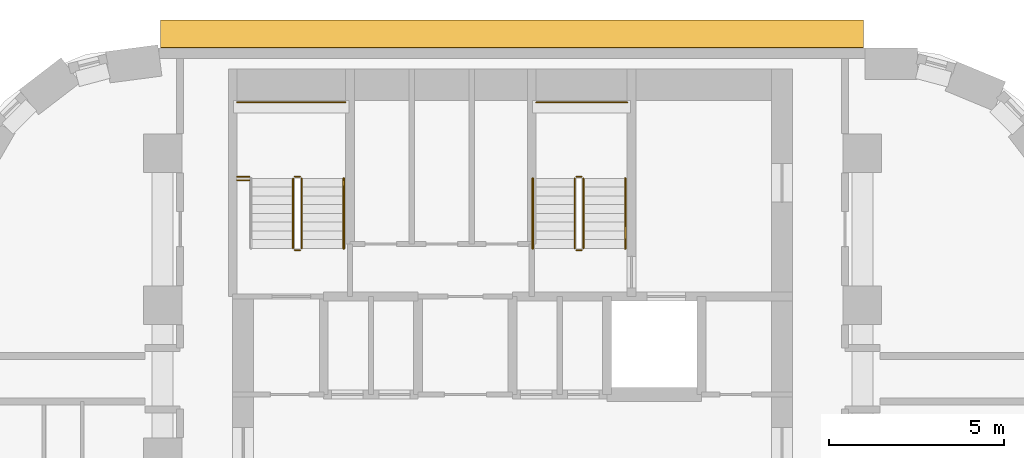
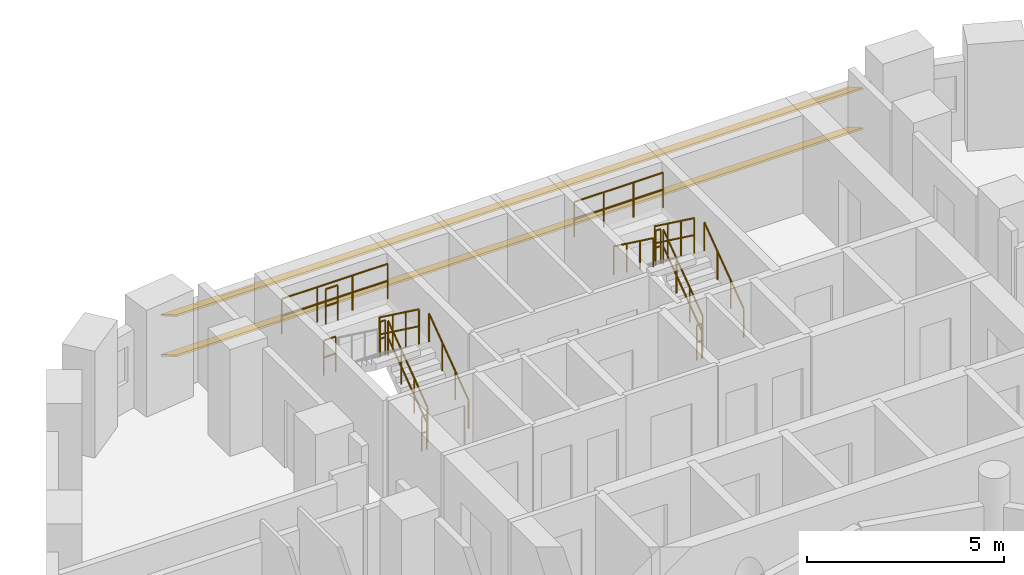
# One storey, part 13 of 13: 15 railings, 2 shading devices.
"""IFC4 building model written with IfcOpenShell, lengths in metres."""

from ifc_helpers import new_model, si_unit, direction, frame, origin, origin_2d, place, context, subcontext, project, spatial, rectangle, circle, extrude, material, material_profile, profile_set, type_object, element, save


model = new_model("IFC4")

# Units and contexts
model_context = context("Model", 3, precision=1e-05, world=origin(), true_north=direction((0.0, 1.0)))
body_context = subcontext(model_context, "Body", "Model", "MODEL_VIEW")
ifc_project = project(units=[si_unit("LENGTHUNIT", "METRE"), si_unit("AREAUNIT", "SQUARE_METRE"), si_unit("VOLUMEUNIT", "CUBIC_METRE"), si_unit("PLANEANGLEUNIT", "RADIAN"), si_unit("MASSUNIT", "GRAM", prefix="KILO")], contexts=[model_context])

# Site, building, storey
site_placement = place(None, origin())
site = spatial("IfcSite", under=ifc_project, at=site_placement, CompositionType="ELEMENT")
building_placement = place(site_placement, origin())
building = spatial("IfcBuilding", under=site, at=building_placement, Name="Nakaniwa Court", CompositionType="ELEMENT")
storey_placement = place(building_placement, frame((0.0, 0.0, 44.699951171875)))
storey = spatial("IfcBuildingStorey", under=building, at=storey_placement, Name="L11", CompositionType="ELEMENT", Elevation=44.699951171875)

# Shading devices
ifc_material_1 = material(Name="Perforated charcoal ceramic louvre blade")
ifc_material_profile = material_profile(ifc_material_1, rectangle(XDim=0.89990234375, YDim=0.050048828125, at=origin_2d()), Name="Perforated ceramic louvre blade")
ifc_profile_set = profile_set([ifc_material_profile], Name="Perforated charcoal ceramic louvre blade")
shading_device_type = type_object("IfcShadingDeviceType", Name="Perforated ceramic louvre blade", PredefinedType="JALOUSIE", material=ifc_profile_set)
for number, where, z_axis, x_axis, name in (
    (1, (90.02880859375, 104.402099609375, 0.550048828125), (-1.0, 0.0, 0.0), (0.0, -0.866025403784, 0.5), "L11 perforated ceramic louvre blade w08 1"),
    (2, (90.02880859375, 104.402099609375, 1.79345703125), (-1.0, 0.0, 0.0), (0.0, -0.866025403784, 0.5), "L11 perforated ceramic louvre blade w08 2"),
):
    element("IfcShadingDevice", number, at=place(storey_placement, frame(where, z_axis=z_axis, x_axis=x_axis)), inside=storey, type_object=shading_device_type, Name=name, PredefinedType="JALOUSIE", context=body_context, shape_type="SweptSolid", body=[
        extrude(rectangle(XDim=0.89990234375, YDim=0.050048828125, at=origin_2d()), origin(), (0.0, 0.0, 1.0), 20.090576171875),
    ])

# Railings
ifc_material_2 = material(Name="Black powder coated steel guard", Category="steel")
railing_type_1 = type_object("IfcRailingType", Name="Stair guard 1100", PredefinedType="GUARDRAIL", material=ifc_material_2)
railing_1_placement = place(storey_placement, frame((73.97509765625, 98.27490234375, 0.183349609375)))
element("IfcRailing", 3, at=railing_1_placement, inside=storey, type_object=railing_type_1, Name="L11 ST1 stair guard 1", PredefinedType="GUARDRAIL", context=body_context, shape_type="SweptSolid", body=[
    extrude(circle(Radius=0.02392578125, at=origin_2d()), frame((0.0, 0.0, 1.076171875), z_axis=(0.0, 0.806379959628, 0.591397802423), x_axis=(-1.0, 0.0, 0.0)), (0.0, 0.0, 1.0), 2.480224609375),
    extrude(circle(Radius=0.02392578125, at=origin_2d()), frame((0.0, 0.0, 0.550048828125), z_axis=(0.0, 0.806379959628, 0.591397802423), x_axis=(-1.0, 0.0, 0.0)), (0.0, 0.0, 1.0), 2.480224609375),
    extrude(circle(Radius=0.02099609375, at=origin_2d()), origin(), (0.0, 0.0, 1.0), 1.052001953125),
    extrude(circle(Radius=0.02099609375, at=origin_2d()), frame((0.0, 0.666748046875, 0.489013671875)), (0.0, 0.0, 1.0), 1.052001953125),
    extrude(circle(Radius=0.02099609375, at=origin_2d()), frame((0.0, 1.333251953125, 0.977783203125)), (0.0, 0.0, 1.0), 1.052001953125),
    extrude(circle(Radius=0.02099609375, at=origin_2d()), frame((0.0, 2.0, 1.466796875)), (0.0, 0.0, 1.0), 1.052001953125),
])
railing_2_placement = place(storey_placement, frame((73.925048828125, 100.324951171875, 1.650146484375)))
element("IfcRailing", 4, at=railing_2_placement, inside=storey, type_object=railing_type_1, Name="L11 ST1 stair guard 2", PredefinedType="GUARDRAIL", context=body_context, shape_type="SweptSolid", body=[
    extrude(circle(Radius=0.02392578125, at=origin_2d()), frame((0.0, 0.0, 1.076171875), z_axis=(-1.0, 0.0, 0.0), x_axis=(0.0, -1.0, 0.0)), (0.0, 0.0, 1.0), 0.150146484375),
    extrude(circle(Radius=0.02392578125, at=origin_2d()), frame((0.0, 0.0, 0.550048828125), z_axis=(-1.0, 0.0, 0.0), x_axis=(0.0, -1.0, 0.0)), (0.0, 0.0, 1.0), 0.150146484375),
    extrude(circle(Radius=0.02099609375, at=origin_2d()), origin(), (0.0, 0.0, 1.0), 1.052001953125),
    extrude(circle(Radius=0.02099609375, at=origin_2d()), frame((-0.150146484375, 0.0, 0.0)), (0.0, 0.0, 1.0), 1.052001953125),
])
railing_3_placement = place(storey_placement, frame((73.72509765625, 100.27490234375, 1.83349609375)))
element("IfcRailing", 5, at=railing_3_placement, inside=storey, type_object=railing_type_1, Name="L11 ST1 stair guard 3", PredefinedType="GUARDRAIL", context=body_context, shape_type="SweptSolid", body=[
    extrude(circle(Radius=0.02392578125, at=origin_2d()), frame((0.0, 0.0, 1.076171875), z_axis=(0.0, -0.806426902644, 0.591333789573), x_axis=(1.0, 0.0, 0.0)), (0.0, 0.0, 1.0), 2.47998046875),
    extrude(circle(Radius=0.02392578125, at=origin_2d()), frame((0.0, 0.0, 0.550048828125), z_axis=(0.0, -0.806426902644, 0.591333789573), x_axis=(1.0, 0.0, 0.0)), (0.0, 0.0, 1.0), 2.47998046875),
    extrude(circle(Radius=0.02099609375, at=origin_2d()), origin(), (0.0, 0.0, 1.0), 1.052001953125),
    extrude(circle(Radius=0.02099609375, at=origin_2d()), frame((0.0, -0.666748046875, 0.48876953125)), (0.0, 0.0, 1.0), 1.052001953125),
    extrude(circle(Radius=0.02099609375, at=origin_2d()), frame((0.0, -1.333251953125, 0.977783203125)), (0.0, 0.0, 1.0), 1.052001953125),
    extrude(circle(Radius=0.02099609375, at=origin_2d()), frame((0.0, -2.0, 1.466552734375)), (0.0, 0.0, 1.0), 1.052001953125),
])
railing_4_placement = place(storey_placement, frame((73.925048828125, 98.22509765625, 0.0)))
element("IfcRailing", 6, at=railing_4_placement, inside=storey, type_object=railing_type_1, Name="L11 ST1 stair guard 4", PredefinedType="GUARDRAIL", context=body_context, shape_type="SweptSolid", body=[
    extrude(circle(Radius=0.02392578125, at=origin_2d()), frame((0.0, 0.0, 1.076171875), z_axis=(-1.0, 0.0, 0.0), x_axis=(0.0, -1.0, 0.0)), (0.0, 0.0, 1.0), 0.150146484375),
    extrude(circle(Radius=0.02392578125, at=origin_2d()), frame((0.0, 0.0, 0.550048828125), z_axis=(-1.0, 0.0, 0.0), x_axis=(0.0, -1.0, 0.0)), (0.0, 0.0, 1.0), 0.150146484375),
    extrude(circle(Radius=0.02099609375, at=origin_2d()), origin(), (0.0, 0.0, 1.0), 1.052001953125),
    extrude(circle(Radius=0.02099609375, at=origin_2d()), frame((-0.150146484375, 0.0, 0.0)), (0.0, 0.0, 1.0), 1.052001953125),
])
railing_5_placement = place(storey_placement, frame((72.125, 102.449951171875, 1.650146484375)))
element("IfcRailing", 7, at=railing_5_placement, inside=storey, type_object=railing_type_1, Name="L11 ST1 landing end guard 1", PredefinedType="GUARDRAIL", context=body_context, shape_type="SweptSolid", body=[
    extrude(circle(Radius=0.02392578125, at=origin_2d()), frame((0.0, 0.0, 1.076171875), z_axis=(1.0, 0.0, 0.0), x_axis=(0.0, 1.0, 0.0)), (0.0, 0.0, 1.0), 3.10009765625),
    extrude(circle(Radius=0.02392578125, at=origin_2d()), frame((0.0, 0.0, 0.550048828125), z_axis=(1.0, 0.0, 0.0), x_axis=(0.0, 1.0, 0.0)), (0.0, 0.0, 1.0), 3.10009765625),
    extrude(circle(Radius=0.02099609375, at=origin_2d()), origin(), (0.0, 0.0, 1.0), 1.052001953125),
    extrude(circle(Radius=0.02099609375, at=origin_2d()), frame((1.033447265625, 0.0, 0.0)), (0.0, 0.0, 1.0), 1.052001953125),
    extrude(circle(Radius=0.02099609375, at=origin_2d()), frame((2.066650390625, 0.0, 0.0)), (0.0, 0.0, 1.0), 1.052001953125),
    extrude(circle(Radius=0.02099609375, at=origin_2d()), frame((3.10009765625, 0.0, 0.0)), (0.0, 0.0, 1.0), 1.052001953125),
])
for number, where, name in (
    (8, (72.125, 100.324951171875, 1.650146484375), "L11 ST1 landing side guard 1W"),
    (9, (72.125, 100.22509765625, 3.300048828125), "L11 ST1 floor edge guard 1W"),
):
    element("IfcRailing", number, at=place(storey_placement, frame(where)), inside=storey, type_object=railing_type_1, Name=name, PredefinedType="GUARDRAIL", context=body_context, shape_type="SweptSolid", body=[
        extrude(circle(Radius=0.02392578125, at=origin_2d()), frame((0.0, 0.0, 1.076171875), z_axis=(1.0, 0.0, 0.0), x_axis=(0.0, 1.0, 0.0)), (0.0, 0.0, 1.0), 0.35009765625),
        extrude(circle(Radius=0.02392578125, at=origin_2d()), frame((0.0, 0.0, 0.550048828125), z_axis=(1.0, 0.0, 0.0), x_axis=(0.0, 1.0, 0.0)), (0.0, 0.0, 1.0), 0.35009765625),
        extrude(circle(Radius=0.02099609375, at=origin_2d()), origin(), (0.0, 0.0, 1.0), 1.052001953125),
        extrude(circle(Radius=0.02099609375, at=origin_2d()), frame((0.35009765625, 0.0, 0.0)), (0.0, 0.0, 1.0), 1.052001953125),
    ])
railing_6_placement = place(storey_placement, frame((82.02490234375, 98.27490234375, 0.183349609375)))
element("IfcRailing", 10, at=railing_6_placement, inside=storey, type_object=railing_type_1, Name="L11 ST2 stair guard 1", PredefinedType="GUARDRAIL", context=body_context, shape_type="SweptSolid", body=[
    extrude(circle(Radius=0.02392578125, at=origin_2d()), frame((0.0, 0.0, 1.076171875), z_axis=(0.0, 0.806379959628, 0.591397802423), x_axis=(-1.0, 0.0, 0.0)), (0.0, 0.0, 1.0), 2.480224609375),
    extrude(circle(Radius=0.02392578125, at=origin_2d()), frame((0.0, 0.0, 0.550048828125), z_axis=(0.0, 0.806379959628, 0.591397802423), x_axis=(-1.0, 0.0, 0.0)), (0.0, 0.0, 1.0), 2.480224609375),
    extrude(circle(Radius=0.02099609375, at=origin_2d()), origin(), (0.0, 0.0, 1.0), 1.052001953125),
    extrude(circle(Radius=0.02099609375, at=origin_2d()), frame((0.0, 0.666748046875, 0.489013671875)), (0.0, 0.0, 1.0), 1.052001953125),
    extrude(circle(Radius=0.02099609375, at=origin_2d()), frame((0.0, 1.333251953125, 0.977783203125)), (0.0, 0.0, 1.0), 1.052001953125),
    extrude(circle(Radius=0.02099609375, at=origin_2d()), frame((0.0, 2.0, 1.466796875)), (0.0, 0.0, 1.0), 1.052001953125),
])
railing_7_placement = place(storey_placement, frame((81.97509765625, 100.324951171875, 1.650146484375)))
element("IfcRailing", 11, at=railing_7_placement, inside=storey, type_object=railing_type_1, Name="L11 ST2 stair guard 2", PredefinedType="GUARDRAIL", context=body_context, shape_type="SweptSolid", body=[
    extrude(circle(Radius=0.02392578125, at=origin_2d()), frame((0.0, 0.0, 1.076171875), z_axis=(-1.0, 0.0, 0.0), x_axis=(0.0, -1.0, 0.0)), (0.0, 0.0, 1.0), 0.150146484375),
    extrude(circle(Radius=0.02392578125, at=origin_2d()), frame((0.0, 0.0, 0.550048828125), z_axis=(-1.0, 0.0, 0.0), x_axis=(0.0, -1.0, 0.0)), (0.0, 0.0, 1.0), 0.150146484375),
    extrude(circle(Radius=0.02099609375, at=origin_2d()), origin(), (0.0, 0.0, 1.0), 1.052001953125),
    extrude(circle(Radius=0.02099609375, at=origin_2d()), frame((-0.150146484375, 0.0, 0.0)), (0.0, 0.0, 1.0), 1.052001953125),
])
railing_8_placement = place(storey_placement, frame((81.77490234375, 100.27490234375, 1.83349609375)))
element("IfcRailing", 12, at=railing_8_placement, inside=storey, type_object=railing_type_1, Name="L11 ST2 stair guard 3", PredefinedType="GUARDRAIL", context=body_context, shape_type="SweptSolid", body=[
    extrude(circle(Radius=0.02392578125, at=origin_2d()), frame((0.0, 0.0, 1.076171875), z_axis=(0.0, -0.806426902644, 0.591333789573), x_axis=(1.0, 0.0, 0.0)), (0.0, 0.0, 1.0), 2.47998046875),
    extrude(circle(Radius=0.02392578125, at=origin_2d()), frame((0.0, 0.0, 0.550048828125), z_axis=(0.0, -0.806426902644, 0.591333789573), x_axis=(1.0, 0.0, 0.0)), (0.0, 0.0, 1.0), 2.47998046875),
    extrude(circle(Radius=0.02099609375, at=origin_2d()), origin(), (0.0, 0.0, 1.0), 1.052001953125),
    extrude(circle(Radius=0.02099609375, at=origin_2d()), frame((0.0, -0.666748046875, 0.48876953125)), (0.0, 0.0, 1.0), 1.052001953125),
    extrude(circle(Radius=0.02099609375, at=origin_2d()), frame((0.0, -1.333251953125, 0.977783203125)), (0.0, 0.0, 1.0), 1.052001953125),
    extrude(circle(Radius=0.02099609375, at=origin_2d()), frame((0.0, -2.0, 1.466552734375)), (0.0, 0.0, 1.0), 1.052001953125),
])
railing_9_placement = place(storey_placement, frame((81.97509765625, 98.22509765625, 0.0)))
element("IfcRailing", 13, at=railing_9_placement, inside=storey, type_object=railing_type_1, Name="L11 ST2 stair guard 4", PredefinedType="GUARDRAIL", context=body_context, shape_type="SweptSolid", body=[
    extrude(circle(Radius=0.02392578125, at=origin_2d()), frame((0.0, 0.0, 1.076171875), z_axis=(-1.0, 0.0, 0.0), x_axis=(0.0, -1.0, 0.0)), (0.0, 0.0, 1.0), 0.150146484375),
    extrude(circle(Radius=0.02392578125, at=origin_2d()), frame((0.0, 0.0, 0.550048828125), z_axis=(-1.0, 0.0, 0.0), x_axis=(0.0, -1.0, 0.0)), (0.0, 0.0, 1.0), 0.150146484375),
    extrude(circle(Radius=0.02099609375, at=origin_2d()), origin(), (0.0, 0.0, 1.0), 1.052001953125),
    extrude(circle(Radius=0.02099609375, at=origin_2d()), frame((-0.150146484375, 0.0, 0.0)), (0.0, 0.0, 1.0), 1.052001953125),
])
railing_10_placement = place(storey_placement, frame((80.675048828125, 102.449951171875, 1.650146484375)))
element("IfcRailing", 14, at=railing_10_placement, inside=storey, type_object=railing_type_1, Name="L11 ST2 landing end guard 1", PredefinedType="GUARDRAIL", context=body_context, shape_type="SweptSolid", body=[
    extrude(circle(Radius=0.02392578125, at=origin_2d()), frame((0.0, 0.0, 1.076171875), z_axis=(1.0, 0.0, 0.0), x_axis=(0.0, 1.0, 0.0)), (0.0, 0.0, 1.0), 2.599853515625),
    extrude(circle(Radius=0.02392578125, at=origin_2d()), frame((0.0, 0.0, 0.550048828125), z_axis=(1.0, 0.0, 0.0), x_axis=(0.0, 1.0, 0.0)), (0.0, 0.0, 1.0), 2.599853515625),
    extrude(circle(Radius=0.02099609375, at=origin_2d()), origin(), (0.0, 0.0, 1.0), 1.052001953125),
    extrude(circle(Radius=0.02099609375, at=origin_2d()), frame((0.86669921875, 0.0, 0.0)), (0.0, 0.0, 1.0), 1.052001953125),
    extrude(circle(Radius=0.02099609375, at=origin_2d()), frame((1.733154296875, 0.0, 0.0)), (0.0, 0.0, 1.0), 1.052001953125),
    extrude(circle(Radius=0.02099609375, at=origin_2d()), frame((2.599853515625, 0.0, 0.0)), (0.0, 0.0, 1.0), 1.052001953125),
])
ifc_material_3 = material(Name="Black powder coated steel handrail", Category="steel")
railing_type_2 = type_object("IfcRailingType", Name="Stair handrail 900", PredefinedType="HANDRAIL", material=ifc_material_3)
for number, where, name in (
    (15, (75.175048828125, 98.27490234375, 0.183349609375), "L11 ST1 stair handrail 1"),
    (16, (83.22509765625, 98.27490234375, 0.183349609375), "L11 ST2 stair handrail 1"),
):
    element("IfcRailing", number, at=place(storey_placement, frame(where)), inside=storey, type_object=railing_type_2, Name=name, PredefinedType="HANDRAIL", context=body_context, shape_type="SweptSolid", body=[
        extrude(circle(Radius=0.02392578125, at=origin_2d()), frame((0.0, 0.0, 0.8759765625), z_axis=(0.0, 0.806379959628, 0.591397802423), x_axis=(-1.0, 0.0, 0.0)), (0.0, 0.0, 1.0), 2.480224609375),
        extrude(circle(Radius=0.02099609375, at=origin_2d()), origin(), (0.0, 0.0, 1.0), 0.851806640625),
        extrude(circle(Radius=0.02099609375, at=origin_2d()), frame((0.0, 0.666748046875, 0.489013671875)), (0.0, 0.0, 1.0), 0.851806640625),
        extrude(circle(Radius=0.02099609375, at=origin_2d()), frame((0.0, 1.333251953125, 0.977783203125)), (0.0, 0.0, 1.0), 0.851806640625),
        extrude(circle(Radius=0.02099609375, at=origin_2d()), frame((0.0, 2.0, 1.466796875)), (0.0, 0.0, 1.0), 0.851806640625),
    ])
railing_11_placement = place(storey_placement, frame((80.574951171875, 100.27490234375, 1.83349609375)))
element("IfcRailing", 17, at=railing_11_placement, inside=storey, type_object=railing_type_2, Name="L11 ST2 stair handrail 2", PredefinedType="HANDRAIL", context=body_context, shape_type="SweptSolid", body=[
    extrude(circle(Radius=0.02392578125, at=origin_2d()), frame((0.0, 0.0, 0.8759765625), z_axis=(0.0, -0.806426902644, 0.591333789573), x_axis=(1.0, 0.0, 0.0)), (0.0, 0.0, 1.0), 2.47998046875),
    extrude(circle(Radius=0.02099609375, at=origin_2d()), origin(), (0.0, 0.0, 1.0), 0.851806640625),
    extrude(circle(Radius=0.02099609375, at=origin_2d()), frame((0.0, -0.666748046875, 0.48876953125)), (0.0, 0.0, 1.0), 0.851806640625),
    extrude(circle(Radius=0.02099609375, at=origin_2d()), frame((0.0, -1.333251953125, 0.977783203125)), (0.0, 0.0, 1.0), 0.851806640625),
    extrude(circle(Radius=0.02099609375, at=origin_2d()), frame((0.0, -2.0, 1.466552734375)), (0.0, 0.0, 1.0), 0.851806640625),
])

save(model, "model.ifc")
